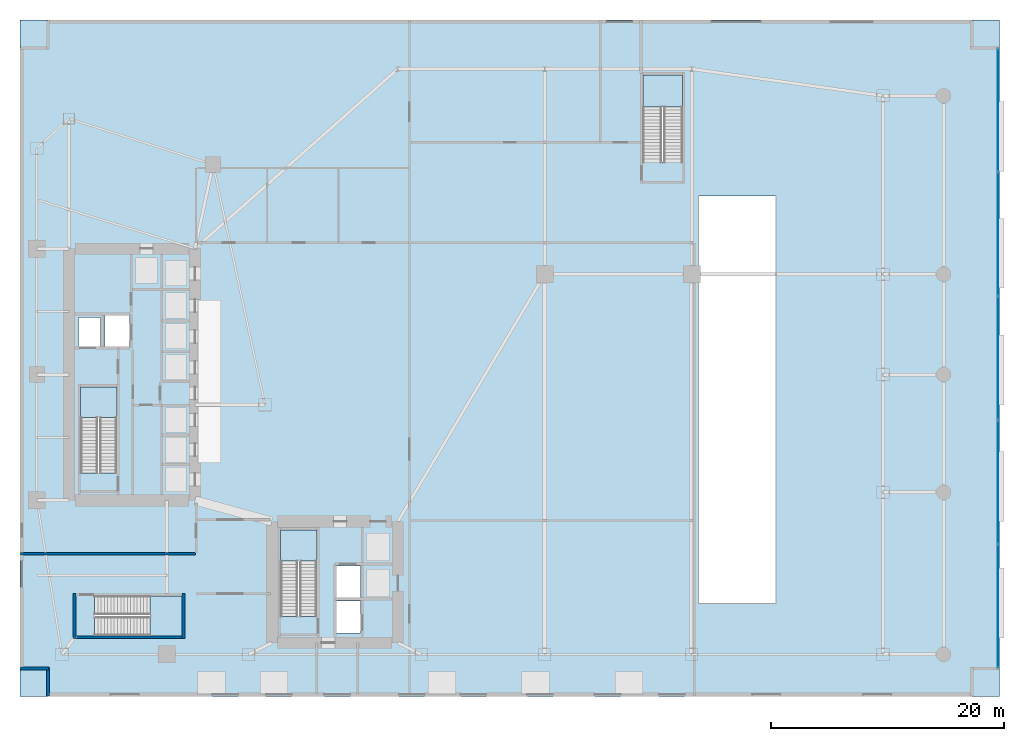
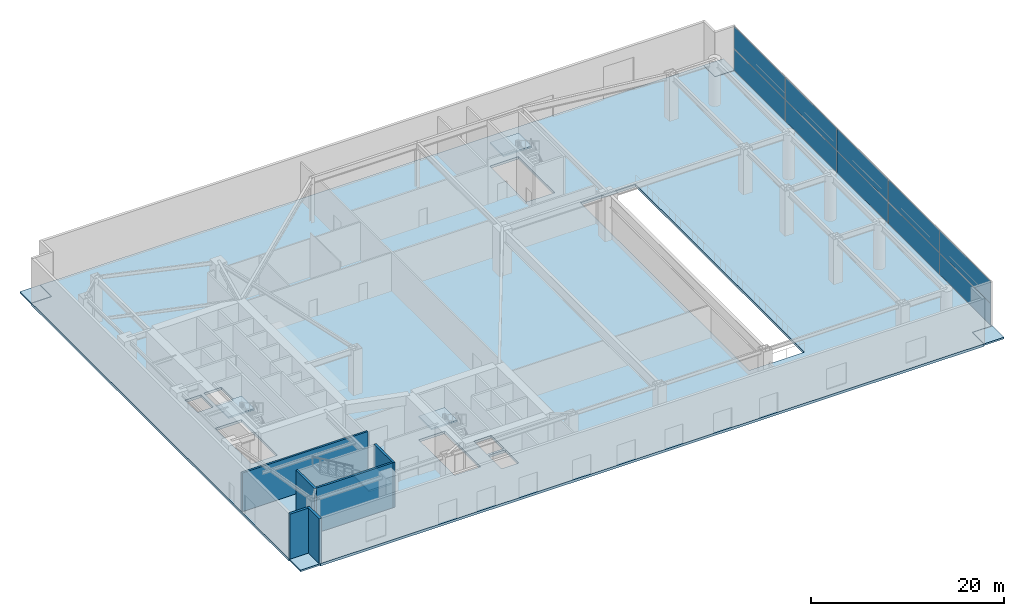
# One storey, part 11 of 20: 10 plates, 9 slabs, 6 walls, 5 elements without a shape of their own.
"""IFC4 building model written with IfcOpenShell, lengths in metres."""

from ifc_helpers import new_model, si_unit, direction, frame, frame_2d, origin, origin_2d, place, context, subcontext, project, spatial, polyline, rectangle, outline, extrude, material, layer, layer_set, type_object, element, aggregate, save


model = new_model("IFC4")

# Units and contexts
model_context = context("Model", 3, precision=1e-05, world=origin(), true_north=direction((0.0, 1.0)))
body_context = subcontext(model_context, "Body", "Model", "MODEL_VIEW")
ifc_project = project(units=[si_unit("LENGTHUNIT", "METRE"), si_unit("AREAUNIT", "SQUARE_METRE"), si_unit("VOLUMEUNIT", "CUBIC_METRE"), si_unit("PLANEANGLEUNIT", "RADIAN"), si_unit("MASSUNIT", "GRAM", prefix="KILO")], contexts=[model_context])

# Site, building, storey
site_placement = place(None, origin())
site = spatial("IfcSite", under=ifc_project, at=site_placement, CompositionType="ELEMENT")
building_placement = place(site_placement, origin())
building = spatial("IfcBuilding", under=site, at=building_placement, Name="Calvorn Quay Hotel", CompositionType="ELEMENT")
storey_placement = place(building_placement, origin())
storey = spatial("IfcBuildingStorey", under=building, at=storey_placement, Name="L00", CompositionType="ELEMENT", Elevation=0.0)

# Curtain wall, plates
ifc_material_1 = material(Name="Pale Anodised Aluminium and Low-E Glass", Category="aluminium")
ifc_layer_1 = layer(ifc_material_1, 0.219970703125)
ifc_layer_set_1 = layer_set([ifc_layer_1], Name="CW-SYS-POD")
curtain_wall_type = type_object("IfcCurtainWallType", Name="CW-SYS-POD", PredefinedType="NOTDEFINED", material=ifc_layer_set_1)
curtain_wall_placement = place(storey_placement, origin())
curtain_wall = element("IfcCurtainWall", 1, at=curtain_wall_placement, inside=storey, type_object=curtain_wall_type, Name="L00 Waterfront Promenade Curtain Wall", PredefinedType="NOTDEFINED")
ifc_material_2 = material(Name="Low-E Laminated Double Glazing", Category="glass")
ifc_layer_2 = layer(ifc_material_2, 0.028076171875)
ifc_layer_set_2 = layer_set([ifc_layer_2], Name="CW-SYS-POD-PAN")
plate_type = type_object("IfcPlateType", Name="CW-SYS-POD-PAN", PredefinedType="CURTAIN_PANEL", material=ifc_layer_set_2)
plate_1_placement = place(storey_placement, frame((83.85009765625, 7.735107421875, 0.06005859375), z_axis=(0.0, 0.0, 1.0), x_axis=(0.0, 1.0, 0.0)))
plate_1 = element("IfcPlate", 2, at=plate_1_placement, type_object=plate_type, Name="CW-L00-E1 panel 1.1", PredefinedType="CURTAIN_PANEL", context=body_context, shape_type="SweptSolid", body=[
    extrude(rectangle(XDim=10.550048828125, YDim=0.028076171875, at=origin_2d()), origin(), (0.0, 0.0, 1.0), 2.7099609375),
])
plate_2_placement = place(storey_placement, frame((83.85009765625, 7.735107421875, 2.830078125), z_axis=(0.0, 0.0, 1.0), x_axis=(0.0, 1.0, 0.0)))
plate_2 = element("IfcPlate", 3, at=plate_2_placement, type_object=plate_type, Name="CW-L00-E1 panel 1.2", PredefinedType="CURTAIN_PANEL", context=body_context, shape_type="SweptSolid", body=[
    extrude(rectangle(XDim=10.550048828125, YDim=0.028076171875, at=origin_2d()), origin(), (0.0, 0.0, 1.0), 2.7900390625),
])
plate_3_placement = place(storey_placement, frame((83.85009765625, 18.360107421875, 0.06005859375), z_axis=(0.0, 0.0, 1.0), x_axis=(0.0, 1.0, 0.0)))
plate_3 = element("IfcPlate", 4, at=plate_3_placement, type_object=plate_type, Name="CW-L00-E1 panel 2.1", PredefinedType="CURTAIN_PANEL", context=body_context, shape_type="SweptSolid", body=[
    extrude(rectangle(XDim=10.580078125, YDim=0.028076171875, at=origin_2d()), origin(), (0.0, 0.0, 1.0), 2.7099609375),
])
plate_4_placement = place(storey_placement, frame((83.85009765625, 18.360107421875, 2.830078125), z_axis=(0.0, 0.0, 1.0), x_axis=(0.0, 1.0, 0.0)))
plate_4 = element("IfcPlate", 5, at=plate_4_placement, type_object=plate_type, Name="CW-L00-E1 panel 2.2", PredefinedType="CURTAIN_PANEL", context=body_context, shape_type="SweptSolid", body=[
    extrude(rectangle(XDim=10.580078125, YDim=0.028076171875, at=origin_2d()), origin(), (0.0, 0.0, 1.0), 2.7900390625),
])
plate_5_placement = place(storey_placement, frame((83.85009765625, 29.0, 0.06005859375), z_axis=(0.0, 0.0, 1.0), x_axis=(0.0, 1.0, 0.0)))
plate_5 = element("IfcPlate", 6, at=plate_5_placement, type_object=plate_type, Name="CW-L00-E1 panel 3.1", PredefinedType="CURTAIN_PANEL", context=body_context, shape_type="SweptSolid", body=[
    extrude(rectangle(XDim=10.580078125, YDim=0.028076171875, at=origin_2d()), origin(), (0.0, 0.0, 1.0), 2.7099609375),
])
plate_6_placement = place(storey_placement, frame((83.85009765625, 29.0, 2.830078125), z_axis=(0.0, 0.0, 1.0), x_axis=(0.0, 1.0, 0.0)))
plate_6 = element("IfcPlate", 7, at=plate_6_placement, type_object=plate_type, Name="CW-L00-E1 panel 3.2", PredefinedType="CURTAIN_PANEL", context=body_context, shape_type="SweptSolid", body=[
    extrude(rectangle(XDim=10.580078125, YDim=0.028076171875, at=origin_2d()), origin(), (0.0, 0.0, 1.0), 2.7900390625),
])
plate_7_placement = place(storey_placement, frame((83.85009765625, 39.639892578125, 0.06005859375), z_axis=(0.0, 0.0, 1.0), x_axis=(0.0, 1.0, 0.0)))
plate_7 = element("IfcPlate", 8, at=plate_7_placement, type_object=plate_type, Name="CW-L00-E1 panel 4.1", PredefinedType="CURTAIN_PANEL", context=body_context, shape_type="SweptSolid", body=[
    extrude(rectangle(XDim=10.580078125, YDim=0.028076171875, at=origin_2d()), origin(), (0.0, 0.0, 1.0), 2.7099609375),
])
plate_8_placement = place(storey_placement, frame((83.85009765625, 39.639892578125, 2.830078125), z_axis=(0.0, 0.0, 1.0), x_axis=(0.0, 1.0, 0.0)))
plate_8 = element("IfcPlate", 9, at=plate_8_placement, type_object=plate_type, Name="CW-L00-E1 panel 4.2", PredefinedType="CURTAIN_PANEL", context=body_context, shape_type="SweptSolid", body=[
    extrude(rectangle(XDim=10.580078125, YDim=0.028076171875, at=origin_2d()), origin(), (0.0, 0.0, 1.0), 2.7900390625),
])
plate_9_placement = place(storey_placement, frame((83.85009765625, 50.264892578125, 0.06005859375), z_axis=(0.0, 0.0, 1.0), x_axis=(0.0, 1.0, 0.0)))
plate_9 = element("IfcPlate", 10, at=plate_9_placement, type_object=plate_type, Name="CW-L00-E1 panel 5.1", PredefinedType="CURTAIN_PANEL", context=body_context, shape_type="SweptSolid", body=[
    extrude(rectangle(XDim=10.550048828125, YDim=0.028076171875, at=origin_2d()), origin(), (0.0, 0.0, 1.0), 2.7099609375),
])
plate_10_placement = place(storey_placement, frame((83.85009765625, 50.264892578125, 2.830078125), z_axis=(0.0, 0.0, 1.0), x_axis=(0.0, 1.0, 0.0)))
plate_10 = element("IfcPlate", 11, at=plate_10_placement, type_object=plate_type, Name="CW-L00-E1 panel 5.2", PredefinedType="CURTAIN_PANEL", context=body_context, shape_type="SweptSolid", body=[
    extrude(rectangle(XDim=10.550048828125, YDim=0.028076171875, at=origin_2d()), origin(), (0.0, 0.0, 1.0), 2.7900390625),
])
aggregate(curtain_wall, [plate_1, plate_2, plate_3, plate_4, plate_5, plate_6, plate_7, plate_8, plate_9, plate_10])

# Slabs
ifc_material_3 = material(Name="Concrete C40", Category="concrete")
ifc_layer_3 = layer(ifc_material_3, 0.320068359375)
ifc_layer_set_3 = layer_set([ifc_layer_3], Name="SLB-POD-320")
slab_type_1 = type_object("IfcSlabType", Name="SLB-POD-320", PredefinedType="FLOOR", material=ifc_layer_set_3)
slab_1_placement = place(storey_placement, frame((0.0, 0.0, -0.320068359375)))
element("IfcSlab", 12, at=slab_1_placement, inside=storey, type_object=slab_type_1, Name="L00 Structural Floor Slab", PredefinedType="FLOOR", context=body_context, shape_type="SweptSolid", body=[
    extrude(outline(polyline([(0.0, 2.39990234375), (2.39990234375, 2.39990234375), (2.39990234375, 0.0), (81.60009765625, 0.0), (81.60009765625, 2.39990234375), (84.0, 2.39990234375), (84.0, 55.60009765625), (81.60009765625, 55.60009765625), (81.60009765625, 58.0), (2.39990234375, 58.0), (2.39990234375, 55.60009765625), (0.0, 55.60009765625), (0.0, 2.39990234375)]), holes=[polyline([(5.199951171875, 19.156005859375), (8.300048828125, 19.156005859375), (8.300048828125, 26.550048828125), (5.199951171875, 26.550048828125), (5.199951171875, 19.156005859375)]), polyline([(22.35009765625, 6.85595703125), (25.449951171875, 6.85595703125), (25.449951171875, 14.25), (22.35009765625, 14.25), (22.35009765625, 6.85595703125)]), polyline([(53.39990234375, 45.805908203125), (56.800048828125, 45.805908203125), (56.800048828125, 53.300048828125), (53.39990234375, 53.300048828125), (53.39990234375, 45.805908203125)]), polyline([(6.406005859375, 5.199951171875), (13.89990234375, 5.199951171875), (13.89990234375, 8.60009765625), (6.406005859375, 8.60009765625), (6.406005859375, 5.199951171875)]), polyline([(5.0, 30.0), (6.89990234375, 30.0), (6.89990234375, 32.5), (5.0, 32.5), (5.0, 30.0)]), polyline([(7.300048828125, 30.0), (9.39990234375, 30.0), (9.39990234375, 32.64990234375), (7.300048828125, 32.64990234375), (7.300048828125, 30.0)]), polyline([(27.159912109375, 8.5), (29.2099609375, 8.5), (29.2099609375, 11.199951171875), (27.159912109375, 11.199951171875), (27.159912109375, 8.5)]), polyline([(27.159912109375, 5.449951171875), (29.2099609375, 5.449951171875), (29.2099609375, 8.199951171875), (27.159912109375, 8.199951171875), (27.159912109375, 5.449951171875)]), polyline([(58.199951171875, 8.0), (64.800048828125, 8.0), (64.800048828125, 42.89990234375), (58.199951171875, 42.89990234375), (58.199951171875, 8.0)])]), origin(), (0.0, 0.0, 1.0), 0.320068359375),
])
ifc_material_4 = material(Name="Granite Paving on Concrete C40", Category="masonry")
ifc_layer_4 = layer(ifc_material_4, 0.2099609375)
ifc_layer_set_4 = layer_set([ifc_layer_4], Name="SLB-QUAY-PAVING-210")
slab_type_2 = type_object("IfcSlabType", Name="SLB-QUAY-PAVING-210", PredefinedType="USERDEFINED", material=ifc_layer_set_4)
slab_2_placement = place(storey_placement, frame((0.0, 0.0, -0.2099609375)))
element("IfcSlab", 13, at=slab_2_placement, inside=storey, type_object=slab_type_2, Name="Waterfront Promenade Paving PV-01", ObjectType="PAVING", PredefinedType="USERDEFINED", context=body_context, shape_type="SweptSolid", body=[
    extrude(outline(polyline([(0.0, 0.0), (2.3798828125, 0.0), (2.3798828125, 2.3798828125), (0.0, 2.3798828125), (0.0, 0.0)])), origin(), (0.0, 0.0, 1.0), 0.2099609375),
])
slab_3_placement = place(storey_placement, frame((0.0, 0.0, -0.2099609375)))
element("IfcSlab", 14, at=slab_3_placement, inside=storey, type_object=slab_type_2, Name="Waterfront Promenade Paving PV-02", ObjectType="PAVING", PredefinedType="USERDEFINED", context=body_context, shape_type="SweptSolid", body=[
    extrude(outline(polyline([(81.6201171875, 0.0), (84.0, 0.0), (84.0, 2.3798828125), (81.6201171875, 2.3798828125), (81.6201171875, 0.0)])), origin(), (0.0, 0.0, 1.0), 0.2099609375),
])
slab_4_placement = place(storey_placement, frame((0.0, 0.0, -0.2099609375)))
element("IfcSlab", 15, at=slab_4_placement, inside=storey, type_object=slab_type_2, Name="Waterfront Promenade Paving PV-03", ObjectType="PAVING", PredefinedType="USERDEFINED", context=body_context, shape_type="SweptSolid", body=[
    extrude(outline(polyline([(81.6201171875, 55.6201171875), (84.0, 55.6201171875), (84.0, 58.0), (81.6201171875, 58.0), (81.6201171875, 55.6201171875)])), origin(), (0.0, 0.0, 1.0), 0.2099609375),
])
slab_5_placement = place(storey_placement, frame((0.0, 0.0, -0.2099609375)))
element("IfcSlab", 16, at=slab_5_placement, inside=storey, type_object=slab_type_2, Name="Waterfront Promenade Paving PV-04", ObjectType="PAVING", PredefinedType="USERDEFINED", context=body_context, shape_type="SweptSolid", body=[
    extrude(outline(polyline([(0.0, 55.6201171875), (2.3798828125, 55.6201171875), (2.3798828125, 58.0), (0.0, 58.0), (0.0, 55.6201171875)])), origin(), (0.0, 0.0, 1.0), 0.2099609375),
])

# Stair, slab
ifc_material_5 = material(Name="Concrete C40", Category="concrete")
stair_type_1 = type_object("IfcStairType", Name="STR-CORE-DOGLEG", PredefinedType="HALF_TURN_STAIR", material=ifc_material_5)
stair_1_placement = place(storey_placement, origin())
stair_1 = element("IfcStair", 17, at=stair_1_placement, inside=storey, type_object=stair_type_1, Name="L00 ST-W", PredefinedType="HALF_TURN_STAIR")
ifc_material_6 = material(Name="Concrete C40", Category="concrete")
ifc_layer_5 = layer(ifc_material_6, 0.199951171875)
ifc_layer_set_5 = layer_set([ifc_layer_5], Name="SLB-STAIR-LANDING-200")
slab_type_3 = type_object("IfcSlabType", Name="SLB-STAIR-LANDING-200", PredefinedType="LANDING", material=ifc_layer_set_5)
slab_6_placement = place(storey_placement, frame((0.0, 0.0, 2.800048828125)))
slab_6 = element("IfcSlab", 18, at=slab_6_placement, type_object=slab_type_3, Name="ST-W landing 1", PredefinedType="LANDING", context=body_context, shape_type="SweptSolid", body=[
    extrude(outline(polyline([(8.300048828125, 23.909912109375), (8.300048828125, 26.550048828125), (5.199951171875, 26.550048828125), (5.199951171875, 23.909912109375), (8.300048828125, 23.909912109375)])), origin(), (0.0, 0.0, 1.0), 0.199951171875),
])
aggregate(stair_1, [slab_6])

stair_2_placement = place(storey_placement, origin())
stair_2 = element("IfcStair", 19, at=stair_2_placement, inside=storey, type_object=stair_type_1, Name="L00 ST-E", PredefinedType="HALF_TURN_STAIR")
slab_7_placement = place(storey_placement, frame((0.0, 0.0, 2.800048828125)))
slab_7 = element("IfcSlab", 20, at=slab_7_placement, type_object=slab_type_3, Name="ST-E landing 1", PredefinedType="LANDING", context=body_context, shape_type="SweptSolid", body=[
    extrude(outline(polyline([(25.449951171875, 11.610107421875), (25.449951171875, 14.25), (22.35009765625, 14.25), (22.35009765625, 11.610107421875), (25.449951171875, 11.610107421875)])), origin(), (0.0, 0.0, 1.0), 0.199951171875),
])
aggregate(stair_2, [slab_7])

ifc_material_7 = material(Name="Concrete C40", Category="concrete")
stair_type_2 = type_object("IfcStairType", Name="STR-POD-DOGLEG", PredefinedType="TWO_QUARTER_TURN_STAIR", material=ifc_material_7)
stair_3_placement = place(storey_placement, origin())
stair_3 = element("IfcStair", 21, at=stair_3_placement, inside=storey, type_object=stair_type_2, Name="L00 ST-P1", PredefinedType="TWO_QUARTER_TURN_STAIR")
slab_8_placement = place(storey_placement, frame((0.0, 0.0, 2.800048828125)))
slab_8 = element("IfcSlab", 22, at=slab_8_placement, type_object=slab_type_3, Name="ST-P1 landing 1", PredefinedType="LANDING", context=body_context, shape_type="SweptSolid", body=[
    extrude(outline(polyline([(56.800048828125, 50.56005859375), (56.800048828125, 53.300048828125), (53.39990234375, 53.300048828125), (53.39990234375, 50.56005859375), (56.800048828125, 50.56005859375)])), origin(), (0.0, 0.0, 1.0), 0.199951171875),
])
aggregate(stair_3, [slab_8])

stair_4_placement = place(storey_placement, origin())
stair_4 = element("IfcStair", 23, at=stair_4_placement, inside=storey, type_object=stair_type_2, Name="L00 ST-P2", PredefinedType="TWO_QUARTER_TURN_STAIR")
slab_9_placement = place(storey_placement, frame((0.0, 0.0, 2.800048828125)))
slab_9 = element("IfcSlab", 24, at=slab_9_placement, type_object=slab_type_3, Name="ST-P2 landing 1", PredefinedType="LANDING", context=body_context, shape_type="SweptSolid", body=[
    extrude(outline(polyline([(11.159912109375, 5.199951171875), (13.89990234375, 5.199951171875), (13.89990234375, 8.60009765625), (11.159912109375, 8.60009765625), (11.159912109375, 5.199951171875)])), origin(), (0.0, 0.0, 1.0), 0.199951171875),
])
aggregate(stair_4, [slab_9])

# Walls
ifc_material_8 = material(Name="Concrete C40", Category="concrete")
ifc_layer_6 = layer(ifc_material_8, 0.320068359375)
ifc_layer_set_6 = layer_set([ifc_layer_6], Name="WL-EXT-SPANDREL-320")
wall_type_1 = type_object("IfcWallType", Name="WL-EXT-SPANDREL-320", PredefinedType="SOLIDWALL", material=ifc_layer_set_6)
for number, where, z_axis, x_axis, name in (
    (25, (0.0400390625, 2.39990234375, 0.0), (0.0, 0.0, 1.0), (1.0, 0.0, 0.0), "Podium Notched Corner Wall L00-SW1"),
    (26, (2.39990234375, 2.5, 0.0), (0.0, 0.0, 1.0), (0.0, -1.0, 0.0), "Podium Notched Corner Wall L00-SW2"),
):
    element("IfcWall", number, at=place(storey_placement, frame(where, z_axis=z_axis, x_axis=x_axis)), inside=storey, type_object=wall_type_1, Name=name, PredefinedType="SOLIDWALL", context=body_context, shape_type="SweptSolid", body=[
        extrude(rectangle(XDim=2.4599609375, YDim=0.280029296875, at=frame_2d((1.22998046875, 0.0))), origin(), (0.0, 0.0, 1.0), 5.679931640625),
    ])
ifc_material_9 = material(Name="Autoclaved Aerated Masonry Block", Category="masonry")
ifc_layer_7 = layer(ifc_material_9, 0.219970703125)
ifc_layer_set_7 = layer_set([ifc_layer_7], Name="WL-LOBBY-FIRE-220")
wall_type_2 = type_object("IfcWallType", Name="WL-LOBBY-FIRE-220", PredefinedType="SOLIDWALL", material=ifc_layer_set_7)
wall_1_placement = place(storey_placement, frame((0.06005859375, 12.25, 0.0), z_axis=(0.0, 0.0, 1.0), x_axis=(1.0, 0.0, 0.0)))
element("IfcWall", 27, at=wall_1_placement, inside=storey, type_object=wall_type_2, Name="Partition Wall L00-WL-L00-FCC-S", PredefinedType="SOLIDWALL", context=body_context, shape_type="SweptSolid", body=[
    extrude(rectangle(XDim=14.989990234375, YDim=0.219970703125, at=frame_2d((7.4951171875, 0.0))), origin(), (0.0, 0.0, 1.0), 4.8798828125),
])
ifc_material_10 = material(Name="Concrete C40", Category="concrete")
ifc_layer_8 = layer(ifc_material_10, 0.239990234375)
ifc_layer_set_8 = layer_set([ifc_layer_8], Name="WL-SHAFT-240")
wall_type_3 = type_object("IfcWallType", Name="WL-SHAFT-240", PredefinedType="SOLIDWALL", material=ifc_layer_set_8)
for number, where, z_axis, x_axis, name in (
    (28, (4.679931640625, 4.9599609375, 0.0), (0.0, 0.0, 1.0), (0.0, 1.0, 0.0), "Stair STP2 Shaft Wall W (L00)"),
    (29, (14.02001953125, 4.9599609375, 0.0), (0.0, 0.0, 1.0), (0.0, 1.0, 0.0), "Stair STP2 Shaft Wall E (L00)"),
):
    element("IfcWall", number, at=place(storey_placement, frame(where, z_axis=z_axis, x_axis=x_axis)), inside=storey, type_object=wall_type_3, Name=name, PredefinedType="SOLIDWALL", context=body_context, shape_type="SweptSolid", body=[
        extrude(rectangle(XDim=3.880126953125, YDim=0.239990234375, at=frame_2d((1.93994140625, 0.0))), origin(), (0.0, 0.0, 1.0), 5.679931640625),
    ])
wall_2_placement = place(storey_placement, frame((4.800048828125, 5.080078125, 0.0), z_axis=(0.0, 0.0, 1.0), x_axis=(1.0, 0.0, 0.0)))
element("IfcWall", 30, at=wall_2_placement, inside=storey, type_object=wall_type_3, Name="Stair STP2 Shaft Wall S (L00)", PredefinedType="SOLIDWALL", context=body_context, shape_type="SweptSolid", body=[
    extrude(rectangle(XDim=9.099853515625, YDim=0.239990234375, at=frame_2d((4.5498046875, 0.0))), origin(), (0.0, 0.0, 1.0), 5.679931640625),
])

save(model, "model.ifc")
